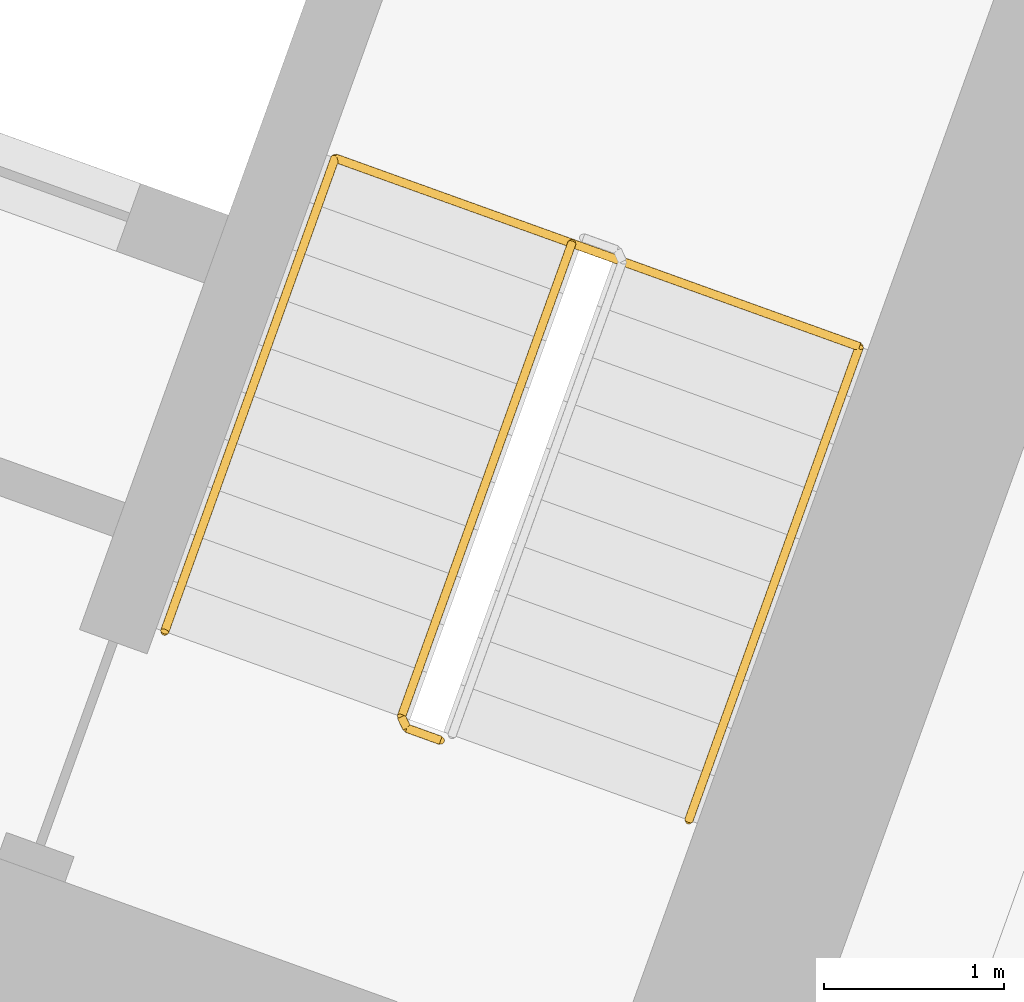
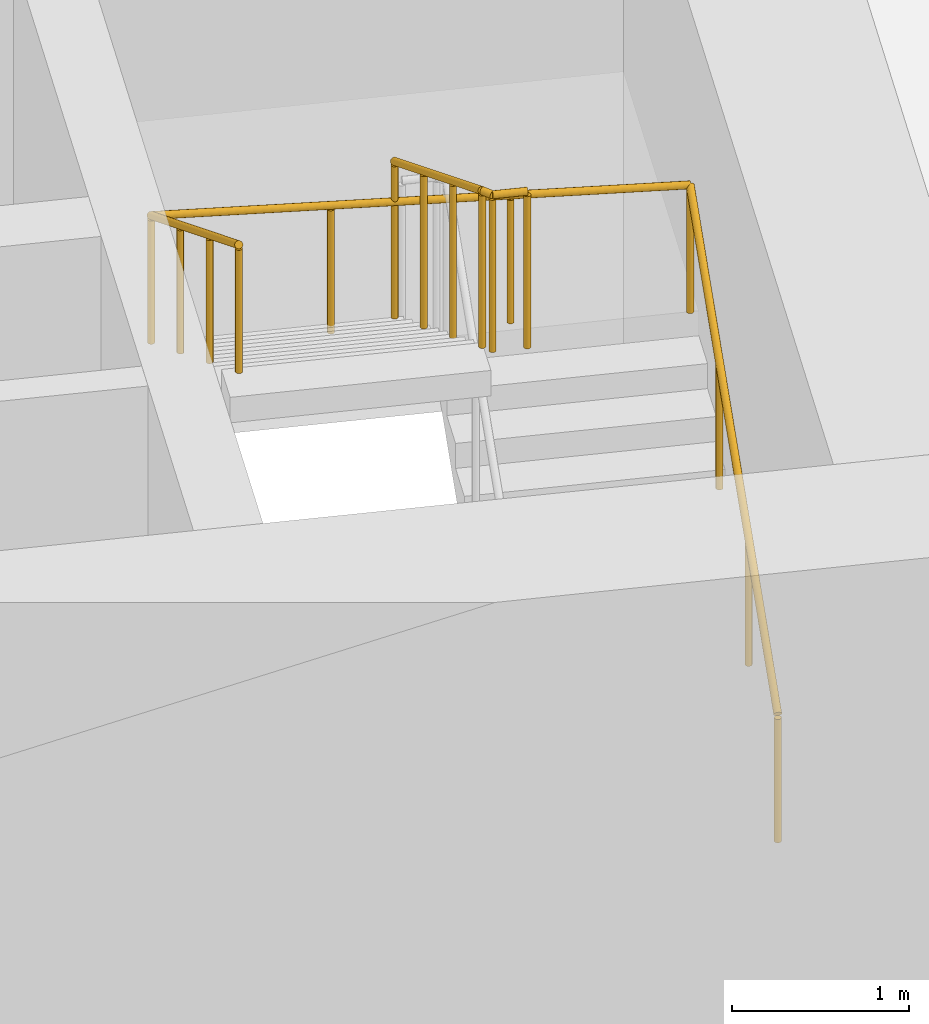
# One storey, part 20 of 20: 2 railings.
"""IFC4 building model written with IfcOpenShell, lengths in metres."""

from ifc_helpers import new_model, si_unit, direction, frame, origin, origin_2d, place, context, subcontext, project, spatial, circle, extrude, material, type_object, element, save


model = new_model("IFC4")

# Units and contexts
model_context = context("Model", 3, precision=1e-05, world=origin(), true_north=direction((0.0, 1.0)))
body_context = subcontext(model_context, "Body", "Model", "MODEL_VIEW")
ifc_project = project(units=[si_unit("LENGTHUNIT", "METRE"), si_unit("AREAUNIT", "SQUARE_METRE"), si_unit("VOLUMEUNIT", "CUBIC_METRE"), si_unit("PLANEANGLEUNIT", "RADIAN"), si_unit("MASSUNIT", "GRAM", prefix="KILO")], contexts=[model_context])

# Site, building, storey
site_placement = place(None, origin())
site = spatial("IfcSite", under=ifc_project, at=site_placement, CompositionType="ELEMENT")
building_placement = place(site_placement, origin())
building = spatial("IfcBuilding", under=site, at=building_placement, Name="Stone Belt Terrace Tower", CompositionType="ELEMENT")
storey_placement = place(building_placement, frame((0.0, 0.0, 216.199951171875)))
storey = spatial("IfcBuildingStorey", under=building, at=storey_placement, Name="L52", CompositionType="ELEMENT", Elevation=216.199951171875)

# Railings
ifc_material = material(Name="Structural steel C345", Category="steel")
railing_type_1 = type_object("IfcRailingType", Name="Stair guard 1100", PredefinedType="GUARDRAIL", material=ifc_material)
railing_1_placement = place(storey_placement, frame((25.16015625, 47.91064453125, 2.07275390625)))
element("IfcRailing", 1, at=railing_1_placement, inside=storey, type_object=railing_type_1, Name="L52 ST1B stair guard 2", PredefinedType="GUARDRAIL", context=body_context, shape_type="SweptSolid", body=[
    extrude(circle(Radius=0.02392578125, at=origin_2d()), frame((0.0, 0.0, 1.076171875), z_axis=(-0.288228637646, -0.800791768495, 0.525030280985), x_axis=(0.940908529223, -0.338660803216, 0.0)), (0.0, 0.0, 1.0), 3.289794921875),
    extrude(circle(Radius=0.02392578125, at=origin_2d()), frame((-0.9482421875, -2.634521484375, 2.80322265625), z_axis=(0.427789722475, -0.903878284585, 0.0), x_axis=(0.903878284585, 0.427789722475, 0.0)), (0.0, 0.0, 1.0), 0.07080078125),
    extrude(circle(Radius=0.02392578125, at=origin_2d()), frame((-0.91796875, -2.698486328125, 2.80322265625), z_axis=(0.940575576748, -0.339584429008, 0.0), x_axis=(0.339584429008, 0.940575576748, 0.0)), (0.0, 0.0, 1.0), 0.199951171875),
    extrude(circle(Radius=0.02099609375, at=origin_2d()), origin(), (0.0, 0.0, 1.0), 1.052001953125),
    extrude(circle(Radius=0.02099609375, at=origin_2d()), frame((-0.316162109375, -0.878173828125, 0.57568359375)), (0.0, 0.0, 1.0), 1.052001953125),
    extrude(circle(Radius=0.02099609375, at=origin_2d()), frame((-0.632080078125, -1.75634765625, 1.151611328125)), (0.0, 0.0, 1.0), 1.052001953125),
    extrude(circle(Radius=0.02099609375, at=origin_2d()), frame((-0.9482421875, -2.634521484375, 1.727294921875)), (0.0, 0.0, 1.0), 1.052001953125),
    extrude(circle(Radius=0.02099609375, at=origin_2d()), frame((-0.91796875, -2.698486328125, 1.727294921875)), (0.0, 0.0, 1.0), 1.052001953125),
    extrude(circle(Radius=0.02099609375, at=origin_2d()), frame((-0.72998046875, -2.766357421875, 1.727294921875)), (0.0, 0.0, 1.0), 1.052001953125),
])
railing_type_2 = type_object("IfcRailingType", Name="Stair handrail 900", PredefinedType="HANDRAIL", material=ifc_material)
railing_2_placement = place(storey_placement, frame((25.8115234375, 44.700439453125, 0.1728515625)))
element("IfcRailing", 2, at=railing_2_placement, inside=storey, type_object=railing_type_2, Name="L52 ST1B stair handrail 1", PredefinedType="HANDRAIL", context=body_context, shape_type="SweptSolid", body=[
    extrude(circle(Radius=0.02392578125, at=origin_2d()), frame((0.0, 0.0, 0.8759765625), z_axis=(0.288228637646, 0.800791768495, 0.525030280985), x_axis=(-0.940908529223, 0.338660803216, 0.0)), (0.0, 0.0, 1.0), 3.289794921875),
    extrude(circle(Radius=0.02392578125, at=origin_2d()), frame((0.9482421875, 2.634521484375, 2.60302734375), z_axis=(-0.939464517435, 0.338106580597, 0.055591012205), x_axis=(-0.338630230244, -0.940919532779, 0.0)), (0.0, 0.0, 1.0), 3.10498046875),
    extrude(circle(Radius=0.02392578125, at=origin_2d()), frame((-1.96875, 3.684326171875, 2.77587890625), z_axis=(-0.288160591223, -0.800808895155, 0.52504150989), x_axis=(0.940936311087, -0.338583606334, 0.0)), (0.0, 0.0, 1.0), 3.289794921875),
    extrude(circle(Radius=0.02099609375, at=origin_2d()), origin(), (0.0, 0.0, 1.0), 0.851806640625),
    extrude(circle(Radius=0.02099609375, at=origin_2d()), frame((0.316162109375, 0.878173828125, 0.57568359375)), (0.0, 0.0, 1.0), 0.851806640625),
    extrude(circle(Radius=0.02099609375, at=origin_2d()), frame((0.632080078125, 1.75634765625, 1.151611328125)), (0.0, 0.0, 1.0), 0.851806640625),
    extrude(circle(Radius=0.02099609375, at=origin_2d()), frame((0.9482421875, 2.634521484375, 1.727294921875)), (0.0, 0.0, 1.0), 0.851806640625),
    extrude(circle(Radius=0.02099609375, at=origin_2d()), frame((-0.024169921875, 2.984375, 1.784912109375)), (0.0, 0.0, 1.0), 0.851806640625),
    extrude(circle(Radius=0.02099609375, at=origin_2d()), frame((-0.996337890625, 3.33447265625, 1.84228515625)), (0.0, 0.0, 1.0), 0.851806640625),
    extrude(circle(Radius=0.02099609375, at=origin_2d()), frame((-1.96875, 3.684326171875, 1.89990234375)), (0.0, 0.0, 1.0), 0.851806640625),
    extrude(circle(Radius=0.02099609375, at=origin_2d()), frame((-2.28466796875, 2.80615234375, 2.4755859375)), (0.0, 0.0, 1.0), 0.851806640625),
    extrude(circle(Radius=0.02099609375, at=origin_2d()), frame((-2.600830078125, 1.927978515625, 3.051513671875)), (0.0, 0.0, 1.0), 0.851806640625),
    extrude(circle(Radius=0.02099609375, at=origin_2d()), frame((-2.916748046875, 1.0498046875, 3.627197265625)), (0.0, 0.0, 1.0), 0.851806640625),
])

save(model, "model.ifc")
